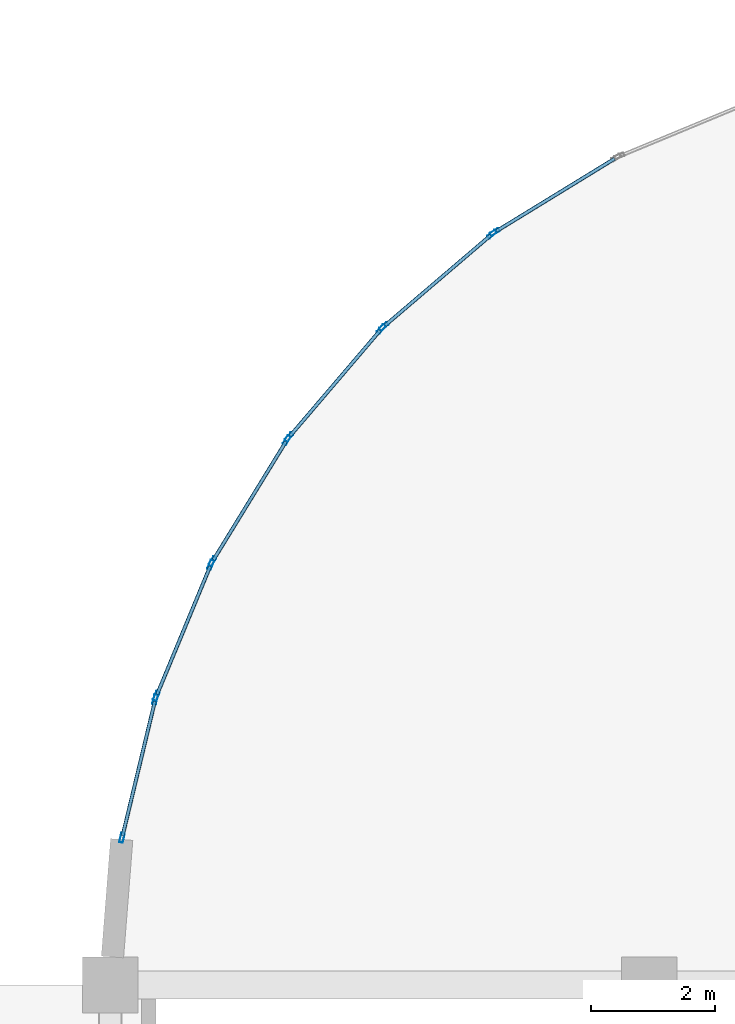
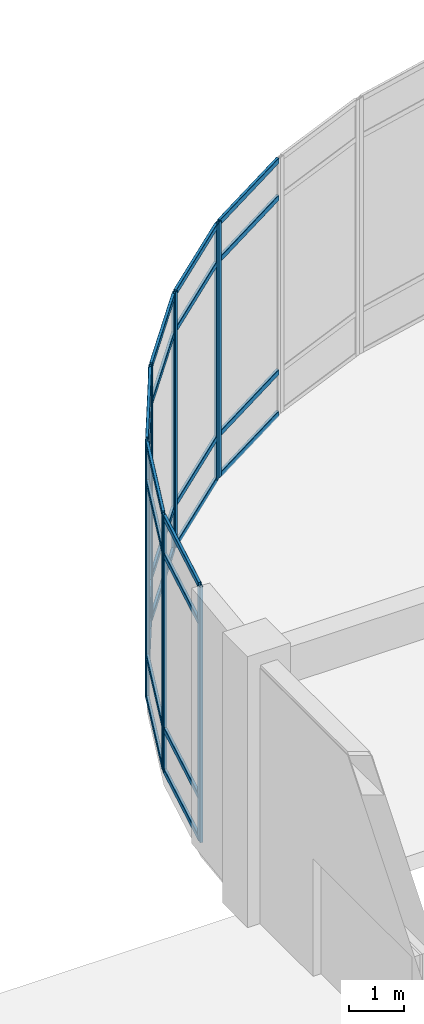
# One storey, part 10 of 82: 35 members, 6 elements without a shape of their own.
"""IFC4 building model written with IfcOpenShell, lengths in metres."""

from ifc_helpers import new_model, si_unit, derived_unit, direction, frame, origin, origin_2d, place, context, subcontext, project, spatial, hollow_rectangle, extrude, material, layer, layer_set, material_profile, profile_set, type_object, element, aggregate, save


model = new_model("IFC4")

# Units and contexts
model_context = context("Model", 3, precision=1e-05, world=origin(), true_north=direction((0.0, 1.0)))
body_context = subcontext(model_context, "Body", "Model", "MODEL_VIEW")
ifc_project = project(units=[si_unit("LENGTHUNIT", "METRE"), si_unit("AREAUNIT", "SQUARE_METRE"), si_unit("VOLUMEUNIT", "CUBIC_METRE"), si_unit("PLANEANGLEUNIT", "RADIAN"), si_unit("MASSUNIT", "GRAM", prefix="KILO"), derived_unit("THERMALTRANSMITTANCEUNIT", [(si_unit("MASSUNIT", "GRAM", prefix="KILO"), 1), (si_unit("TIMEUNIT", "SECOND"), -3), (si_unit("THERMODYNAMICTEMPERATUREUNIT", "KELVIN"), -1)])], contexts=[model_context])

# Site, building, storey
site_placement = place(None, origin())
site = spatial("IfcSite", under=ifc_project, at=site_placement, CompositionType="ELEMENT")
building_placement = place(site_placement, origin())
building = spatial("IfcBuilding", under=site, at=building_placement, Name="Qinzheling Arcade Emporium", CompositionType="ELEMENT")
storey_placement = place(building_placement, origin())
storey = spatial("IfcBuildingStorey", under=building, at=storey_placement, Name="L01", CompositionType="ELEMENT", Elevation=0.0)

# Curtain wall, members
ifc_material_1 = material(Name="Anodised aluminium and solar-control double glazing", Category="aluminium")
ifc_layer = layer(ifc_material_1, 0.159912109375, Name="Anodised aluminium and solar-control double glazing", Category="aluminium")
ifc_layer_set = layer_set([ifc_layer], Name="Anodised aluminium and solar-control double glazing")
curtain_wall_type = type_object("IfcCurtainWallType", Name="Curved Ribbon Sales Curtain Wall", PredefinedType="NOTDEFINED", material=ifc_layer_set)
curtain_wall_1_placement = place(storey_placement, origin())
curtain_wall_1 = element("IfcCurtainWall", 1, at=curtain_wall_1_placement, inside=storey, type_object=curtain_wall_type, Name="Curtain Wall CW-L01-019", PredefinedType="NOTDEFINED")
ifc_material_2 = material(Name="Anodised aluminium 6063-T6", Category="aluminium")
ifc_material_profile_1 = material_profile(ifc_material_2, hollow_rectangle(XDim=0.06005859375, YDim=0.159912109375, WallThickness=0.00390625, InnerFilletRadius=0.00390625, OuterFilletRadius=0.008056640625, at=origin_2d()), Name="RHS 160x60x4", Category="aluminium")
ifc_profile_set_1 = profile_set([ifc_material_profile_1], Name="Anodised aluminium 6063-T6")
member_type_1 = type_object("IfcMemberType", Name="Curtain Wall Mullion RHS160x60", PredefinedType="MULLION", material=ifc_profile_set_1)
member_1_placement = place(storey_placement, frame((8.89208984375, 52.776123046875, 0.0), z_axis=(0.0, 0.0, 1.0), x_axis=(-0.972398874145, 0.233324729854, 0.0)))
member_1 = element("IfcMember", 2, at=member_1_placement, type_object=member_type_1, Name="CW02 mullion 1", PredefinedType="MULLION", context=body_context, shape_type="SweptSolid", body=[
    extrude(hollow_rectangle(XDim=0.06005859375, YDim=0.159912109375, WallThickness=0.00390625, InnerFilletRadius=0.00390625, OuterFilletRadius=0.008056640625, at=origin_2d()), origin(), (0.0, 0.0, 1.0), 5.659912109375),
])
member_2_placement = place(storey_placement, frame((9.427001953125, 55.005859375, 0.0), z_axis=(0.0, 0.0, 1.0), x_axis=(-0.972398874145, 0.233324729854, 0.0)))
member_2 = element("IfcMember", 3, at=member_2_placement, type_object=member_type_1, Name="CW02 mullion 2", PredefinedType="MULLION", context=body_context, shape_type="SweptSolid", body=[
    extrude(hollow_rectangle(XDim=0.06005859375, YDim=0.159912109375, WallThickness=0.00390625, InnerFilletRadius=0.00390625, OuterFilletRadius=0.008056640625, at=origin_2d()), origin(), (0.0, 0.0, 1.0), 5.659912109375),
])

curtain_wall_2_placement = place(storey_placement, origin())
curtain_wall_2 = element("IfcCurtainWall", 4, at=curtain_wall_2_placement, inside=storey, type_object=curtain_wall_type, Name="Curtain Wall CW-L01-020", PredefinedType="NOTDEFINED")
member_3_placement = place(storey_placement, frame((9.445556640625, 55.062744140625, 0.0), z_axis=(0.0, 0.0, 1.0), x_axis=(-0.923866691535, 0.382714431752, 0.0)))
member_3 = element("IfcMember", 5, at=member_3_placement, type_object=member_type_1, Name="CW02 mullion 1", PredefinedType="MULLION", context=body_context, shape_type="SweptSolid", body=[
    extrude(hollow_rectangle(XDim=0.06005859375, YDim=0.159912109375, WallThickness=0.00390625, InnerFilletRadius=0.00390625, OuterFilletRadius=0.008056640625, at=origin_2d()), origin(), (0.0, 0.0, 1.0), 5.659912109375),
])
member_4_placement = place(storey_placement, frame((10.323486328125, 57.182373046875, 0.0), z_axis=(0.0, 0.0, 1.0), x_axis=(-0.923866691535, 0.382714431752, 0.0)))
member_4 = element("IfcMember", 6, at=member_4_placement, type_object=member_type_1, Name="CW02 mullion 2", PredefinedType="MULLION", context=body_context, shape_type="SweptSolid", body=[
    extrude(hollow_rectangle(XDim=0.06005859375, YDim=0.159912109375, WallThickness=0.00390625, InnerFilletRadius=0.00390625, OuterFilletRadius=0.008056640625, at=origin_2d()), origin(), (0.0, 0.0, 1.0), 5.659912109375),
])

curtain_wall_3_placement = place(storey_placement, origin())
curtain_wall_3 = element("IfcCurtainWall", 7, at=curtain_wall_3_placement, inside=storey, type_object=curtain_wall_type, Name="Curtain Wall CW-L01-021", PredefinedType="NOTDEFINED")
member_5_placement = place(storey_placement, frame((10.3505859375, 57.235595703125, 0.0), z_axis=(0.0, 0.0, 1.0), x_axis=(-0.852619568756, 0.522532172191, 0.0)))
member_5 = element("IfcMember", 8, at=member_5_placement, type_object=member_type_1, Name="CW02 mullion 1", PredefinedType="MULLION", context=body_context, shape_type="SweptSolid", body=[
    extrude(hollow_rectangle(XDim=0.06005859375, YDim=0.159912109375, WallThickness=0.00390625, InnerFilletRadius=0.00390625, OuterFilletRadius=0.008056640625, at=origin_2d()), origin(), (0.0, 0.0, 1.0), 5.659912109375),
])
member_6_placement = place(storey_placement, frame((11.54931640625, 59.19140625, 0.0), z_axis=(0.0, 0.0, 1.0), x_axis=(-0.852619568756, 0.522532172191, 0.0)))
member_6 = element("IfcMember", 9, at=member_6_placement, type_object=member_type_1, Name="CW02 mullion 2", PredefinedType="MULLION", context=body_context, shape_type="SweptSolid", body=[
    extrude(hollow_rectangle(XDim=0.06005859375, YDim=0.159912109375, WallThickness=0.00390625, InnerFilletRadius=0.00390625, OuterFilletRadius=0.008056640625, at=origin_2d()), origin(), (0.0, 0.0, 1.0), 5.659912109375),
])

curtain_wall_4_placement = place(storey_placement, origin())
curtain_wall_4 = element("IfcCurtainWall", 10, at=curtain_wall_4_placement, inside=storey, type_object=curtain_wall_type, Name="Curtain Wall CW-L01-022", PredefinedType="NOTDEFINED")
member_7_placement = place(storey_placement, frame((11.58447265625, 59.23974609375, 0.0), z_axis=(0.0, 0.0, 1.0), x_axis=(-0.760574737185, 0.649250390185, 0.0)))
member_7 = element("IfcMember", 11, at=member_7_placement, type_object=member_type_1, Name="CW02 mullion 1", PredefinedType="MULLION", context=body_context, shape_type="SweptSolid", body=[
    extrude(hollow_rectangle(XDim=0.06005859375, YDim=0.159912109375, WallThickness=0.00390625, InnerFilletRadius=0.00390625, OuterFilletRadius=0.008056640625, at=origin_2d()), origin(), (0.0, 0.0, 1.0), 5.659912109375),
])
member_8_placement = place(storey_placement, frame((13.073486328125, 60.984130859375, 0.0), z_axis=(0.0, 0.0, 1.0), x_axis=(-0.760574737185, 0.649250390185, 0.0)))
member_8 = element("IfcMember", 12, at=member_8_placement, type_object=member_type_1, Name="CW02 mullion 2", PredefinedType="MULLION", context=body_context, shape_type="SweptSolid", body=[
    extrude(hollow_rectangle(XDim=0.06005859375, YDim=0.159912109375, WallThickness=0.00390625, InnerFilletRadius=0.00390625, OuterFilletRadius=0.008056640625, at=origin_2d()), origin(), (0.0, 0.0, 1.0), 5.659912109375),
])

curtain_wall_5_placement = place(storey_placement, origin())
curtain_wall_5 = element("IfcCurtainWall", 13, at=curtain_wall_5_placement, inside=storey, type_object=curtain_wall_type, Name="Curtain Wall CW-L01-023", PredefinedType="NOTDEFINED")
member_9_placement = place(storey_placement, frame((13.11572265625, 61.0263671875, 0.0), z_axis=(0.0, 0.0, 1.0), x_axis=(-0.649250390185, 0.760574737185, 0.0)))
member_9 = element("IfcMember", 14, at=member_9_placement, type_object=member_type_1, Name="CW02 mullion 1", PredefinedType="MULLION", context=body_context, shape_type="SweptSolid", body=[
    extrude(hollow_rectangle(XDim=0.06005859375, YDim=0.159912109375, WallThickness=0.00390625, InnerFilletRadius=0.00390625, OuterFilletRadius=0.008056640625, at=origin_2d()), origin(), (0.0, 0.0, 1.0), 5.659912109375),
])
member_10_placement = place(storey_placement, frame((14.860107421875, 62.515625, 0.0), z_axis=(0.0, 0.0, 1.0), x_axis=(-0.649250390185, 0.760574737185, 0.0)))
member_10 = element("IfcMember", 15, at=member_10_placement, type_object=member_type_1, Name="CW02 mullion 2", PredefinedType="MULLION", context=body_context, shape_type="SweptSolid", body=[
    extrude(hollow_rectangle(XDim=0.06005859375, YDim=0.159912109375, WallThickness=0.00390625, InnerFilletRadius=0.00390625, OuterFilletRadius=0.008056640625, at=origin_2d()), origin(), (0.0, 0.0, 1.0), 5.659912109375),
])

# Curtain wall, member
curtain_wall_6_placement = place(storey_placement, origin())
curtain_wall_6 = element("IfcCurtainWall", 16, at=curtain_wall_6_placement, inside=storey, type_object=curtain_wall_type, Name="Curtain Wall CW-L01-024", PredefinedType="NOTDEFINED")
member_11_placement = place(storey_placement, frame((14.90869140625, 62.55078125, 0.0), z_axis=(0.0, 0.0, 1.0), x_axis=(-0.522532172191, 0.852619568756, 0.0)))
member_11 = element("IfcMember", 17, at=member_11_placement, type_object=member_type_1, Name="CW02 mullion 1", PredefinedType="MULLION", context=body_context, shape_type="SweptSolid", body=[
    extrude(hollow_rectangle(XDim=0.06005859375, YDim=0.159912109375, WallThickness=0.00390625, InnerFilletRadius=0.00390625, OuterFilletRadius=0.008056640625, at=origin_2d()), origin(), (0.0, 0.0, 1.0), 5.659912109375),
])

# Member
ifc_material_profile_2 = material_profile(ifc_material_2, hollow_rectangle(XDim=0.06005859375, YDim=0.1201171875, WallThickness=0.00390625, InnerFilletRadius=0.00390625, OuterFilletRadius=0.008056640625, at=origin_2d()), Name="RHS 120x60x4", Category="aluminium")
ifc_profile_set_2 = profile_set([ifc_material_profile_2], Name="Anodised aluminium 6063-T6")
member_type_2 = type_object("IfcMemberType", Name="Curtain Wall Transom RHS120x60", PredefinedType="USERDEFINED", material=ifc_profile_set_2)
member_12_placement = place(storey_placement, frame((8.89892578125, 52.805419921875, 0.030029296875), z_axis=(0.233339867955, 0.97239524167, 0.0), x_axis=(-0.97239524167, 0.233339867955, 0.0)))
member_12 = element("IfcMember", 18, at=member_12_placement, type_object=member_type_2, Name="CW02 transom 1.1", ObjectType="TRANSOM", PredefinedType="USERDEFINED", context=body_context, shape_type="SweptSolid", body=[
    extrude(hollow_rectangle(XDim=0.06005859375, YDim=0.1201171875, WallThickness=0.00390625, InnerFilletRadius=0.00390625, OuterFilletRadius=0.008056640625, at=origin_2d()), origin(), (0.0, 0.0, 1.0), 2.232666015625),
])

member_13_placement = place(storey_placement, frame((8.89892578125, 52.805419921875, 0.949951171875), z_axis=(0.233339867955, 0.97239524167, 0.0), x_axis=(-0.97239524167, 0.233339867955, 0.0)))
member_13 = element("IfcMember", 19, at=member_13_placement, type_object=member_type_2, Name="CW02 transom 1.2", ObjectType="TRANSOM", PredefinedType="USERDEFINED", context=body_context, shape_type="SweptSolid", body=[
    extrude(hollow_rectangle(XDim=0.06005859375, YDim=0.1201171875, WallThickness=0.00390625, InnerFilletRadius=0.00390625, OuterFilletRadius=0.008056640625, at=origin_2d()), origin(), (0.0, 0.0, 1.0), 2.232666015625),
])

member_14_placement = place(storey_placement, frame((8.89892578125, 52.805419921875, 4.81005859375), z_axis=(0.233339867955, 0.97239524167, 0.0), x_axis=(-0.97239524167, 0.233339867955, 0.0)))
member_14 = element("IfcMember", 20, at=member_14_placement, type_object=member_type_2, Name="CW02 transom 1.3", ObjectType="TRANSOM", PredefinedType="USERDEFINED", context=body_context, shape_type="SweptSolid", body=[
    extrude(hollow_rectangle(XDim=0.06005859375, YDim=0.1201171875, WallThickness=0.00390625, InnerFilletRadius=0.00390625, OuterFilletRadius=0.008056640625, at=origin_2d()), origin(), (0.0, 0.0, 1.0), 2.232666015625),
])

member_15_placement = place(storey_placement, frame((8.89892578125, 52.805419921875, 5.6298828125), z_axis=(0.233339867955, 0.97239524167, 0.0), x_axis=(-0.97239524167, 0.233339867955, 0.0)))
member_15 = element("IfcMember", 21, at=member_15_placement, type_object=member_type_2, Name="CW02 transom 1.4", ObjectType="TRANSOM", PredefinedType="USERDEFINED", context=body_context, shape_type="SweptSolid", body=[
    extrude(hollow_rectangle(XDim=0.06005859375, YDim=0.1201171875, WallThickness=0.00390625, InnerFilletRadius=0.00390625, OuterFilletRadius=0.008056640625, at=origin_2d()), origin(), (0.0, 0.0, 1.0), 2.232666015625),
])

aggregate(curtain_wall_1, [member_1, member_2, member_12, member_13, member_14, member_15])

member_16_placement = place(storey_placement, frame((9.45703125, 55.09033203125, 0.030029296875), z_axis=(0.382667047817, 0.923886319043, 0.0), x_axis=(-0.923886319043, 0.382667047817, 0.0)))
member_16 = element("IfcMember", 22, at=member_16_placement, type_object=member_type_2, Name="CW02 transom 1.1", ObjectType="TRANSOM", PredefinedType="USERDEFINED", context=body_context, shape_type="SweptSolid", body=[
    extrude(hollow_rectangle(XDim=0.06005859375, YDim=0.1201171875, WallThickness=0.00390625, InnerFilletRadius=0.00390625, OuterFilletRadius=0.008056640625, at=origin_2d()), origin(), (0.0, 0.0, 1.0), 2.234375),
])

member_17_placement = place(storey_placement, frame((9.45703125, 55.09033203125, 0.949951171875), z_axis=(0.382667047817, 0.923886319043, 0.0), x_axis=(-0.923886319043, 0.382667047817, 0.0)))
member_17 = element("IfcMember", 23, at=member_17_placement, type_object=member_type_2, Name="CW02 transom 1.2", ObjectType="TRANSOM", PredefinedType="USERDEFINED", context=body_context, shape_type="SweptSolid", body=[
    extrude(hollow_rectangle(XDim=0.06005859375, YDim=0.1201171875, WallThickness=0.00390625, InnerFilletRadius=0.00390625, OuterFilletRadius=0.008056640625, at=origin_2d()), origin(), (0.0, 0.0, 1.0), 2.234375),
])

member_18_placement = place(storey_placement, frame((9.45703125, 55.09033203125, 4.81005859375), z_axis=(0.382667047817, 0.923886319043, 0.0), x_axis=(-0.923886319043, 0.382667047817, 0.0)))
member_18 = element("IfcMember", 24, at=member_18_placement, type_object=member_type_2, Name="CW02 transom 1.3", ObjectType="TRANSOM", PredefinedType="USERDEFINED", context=body_context, shape_type="SweptSolid", body=[
    extrude(hollow_rectangle(XDim=0.06005859375, YDim=0.1201171875, WallThickness=0.00390625, InnerFilletRadius=0.00390625, OuterFilletRadius=0.008056640625, at=origin_2d()), origin(), (0.0, 0.0, 1.0), 2.234375),
])

member_19_placement = place(storey_placement, frame((9.45703125, 55.09033203125, 5.6298828125), z_axis=(0.382667047817, 0.923886319043, 0.0), x_axis=(-0.923886319043, 0.382667047817, 0.0)))
member_19 = element("IfcMember", 25, at=member_19_placement, type_object=member_type_2, Name="CW02 transom 1.4", ObjectType="TRANSOM", PredefinedType="USERDEFINED", context=body_context, shape_type="SweptSolid", body=[
    extrude(hollow_rectangle(XDim=0.06005859375, YDim=0.1201171875, WallThickness=0.00390625, InnerFilletRadius=0.00390625, OuterFilletRadius=0.008056640625, at=origin_2d()), origin(), (0.0, 0.0, 1.0), 2.234375),
])

aggregate(curtain_wall_2, [member_3, member_4, member_16, member_17, member_18, member_19])

member_20_placement = place(storey_placement, frame((10.366455078125, 57.26123046875, 0.030029296875), z_axis=(0.522541554547, 0.852613818661, 0.0), x_axis=(-0.852613818661, 0.522541554547, 0.0)))
member_20 = element("IfcMember", 26, at=member_20_placement, type_object=member_type_2, Name="CW02 transom 1.1", ObjectType="TRANSOM", PredefinedType="USERDEFINED", context=body_context, shape_type="SweptSolid", body=[
    extrude(hollow_rectangle(XDim=0.06005859375, YDim=0.1201171875, WallThickness=0.00390625, InnerFilletRadius=0.00390625, OuterFilletRadius=0.008056640625, at=origin_2d()), origin(), (0.0, 0.0, 1.0), 2.23388671875),
])

member_21_placement = place(storey_placement, frame((10.366455078125, 57.26123046875, 0.949951171875), z_axis=(0.522541554547, 0.852613818661, 0.0), x_axis=(-0.852613818661, 0.522541554547, 0.0)))
member_21 = element("IfcMember", 27, at=member_21_placement, type_object=member_type_2, Name="CW02 transom 1.2", ObjectType="TRANSOM", PredefinedType="USERDEFINED", context=body_context, shape_type="SweptSolid", body=[
    extrude(hollow_rectangle(XDim=0.06005859375, YDim=0.1201171875, WallThickness=0.00390625, InnerFilletRadius=0.00390625, OuterFilletRadius=0.008056640625, at=origin_2d()), origin(), (0.0, 0.0, 1.0), 2.23388671875),
])

member_22_placement = place(storey_placement, frame((10.366455078125, 57.26123046875, 4.81005859375), z_axis=(0.522541554547, 0.852613818661, 0.0), x_axis=(-0.852613818661, 0.522541554547, 0.0)))
member_22 = element("IfcMember", 28, at=member_22_placement, type_object=member_type_2, Name="CW02 transom 1.3", ObjectType="TRANSOM", PredefinedType="USERDEFINED", context=body_context, shape_type="SweptSolid", body=[
    extrude(hollow_rectangle(XDim=0.06005859375, YDim=0.1201171875, WallThickness=0.00390625, InnerFilletRadius=0.00390625, OuterFilletRadius=0.008056640625, at=origin_2d()), origin(), (0.0, 0.0, 1.0), 2.23388671875),
])

member_23_placement = place(storey_placement, frame((10.366455078125, 57.26123046875, 5.6298828125), z_axis=(0.522541554547, 0.852613818661, 0.0), x_axis=(-0.852613818661, 0.522541554547, 0.0)))
member_23 = element("IfcMember", 29, at=member_23_placement, type_object=member_type_2, Name="CW02 transom 1.4", ObjectType="TRANSOM", PredefinedType="USERDEFINED", context=body_context, shape_type="SweptSolid", body=[
    extrude(hollow_rectangle(XDim=0.06005859375, YDim=0.1201171875, WallThickness=0.00390625, InnerFilletRadius=0.00390625, OuterFilletRadius=0.008056640625, at=origin_2d()), origin(), (0.0, 0.0, 1.0), 2.23388671875),
])

aggregate(curtain_wall_3, [member_5, member_6, member_20, member_21, member_22, member_23])

member_24_placement = place(storey_placement, frame((11.60400390625, 59.2626953125, 0.030029296875), z_axis=(0.649214567971, 0.76060531469, 0.0), x_axis=(-0.76060531469, 0.649214567971, 0.0)))
member_24 = element("IfcMember", 30, at=member_24_placement, type_object=member_type_2, Name="CW02 transom 1.1", ObjectType="TRANSOM", PredefinedType="USERDEFINED", context=body_context, shape_type="SweptSolid", body=[
    extrude(hollow_rectangle(XDim=0.06005859375, YDim=0.1201171875, WallThickness=0.00390625, InnerFilletRadius=0.00390625, OuterFilletRadius=0.008056640625, at=origin_2d()), origin(), (0.0, 0.0, 1.0), 2.2333984375),
])

member_25_placement = place(storey_placement, frame((11.60400390625, 59.2626953125, 0.949951171875), z_axis=(0.649214567971, 0.76060531469, 0.0), x_axis=(-0.76060531469, 0.649214567971, 0.0)))
member_25 = element("IfcMember", 31, at=member_25_placement, type_object=member_type_2, Name="CW02 transom 1.2", ObjectType="TRANSOM", PredefinedType="USERDEFINED", context=body_context, shape_type="SweptSolid", body=[
    extrude(hollow_rectangle(XDim=0.06005859375, YDim=0.1201171875, WallThickness=0.00390625, InnerFilletRadius=0.00390625, OuterFilletRadius=0.008056640625, at=origin_2d()), origin(), (0.0, 0.0, 1.0), 2.2333984375),
])

member_26_placement = place(storey_placement, frame((11.60400390625, 59.2626953125, 4.81005859375), z_axis=(0.649214567971, 0.76060531469, 0.0), x_axis=(-0.76060531469, 0.649214567971, 0.0)))
member_26 = element("IfcMember", 32, at=member_26_placement, type_object=member_type_2, Name="CW02 transom 1.3", ObjectType="TRANSOM", PredefinedType="USERDEFINED", context=body_context, shape_type="SweptSolid", body=[
    extrude(hollow_rectangle(XDim=0.06005859375, YDim=0.1201171875, WallThickness=0.00390625, InnerFilletRadius=0.00390625, OuterFilletRadius=0.008056640625, at=origin_2d()), origin(), (0.0, 0.0, 1.0), 2.2333984375),
])

member_27_placement = place(storey_placement, frame((11.60400390625, 59.2626953125, 5.6298828125), z_axis=(0.649214567971, 0.76060531469, 0.0), x_axis=(-0.76060531469, 0.649214567971, 0.0)))
member_27 = element("IfcMember", 33, at=member_27_placement, type_object=member_type_2, Name="CW02 transom 1.4", ObjectType="TRANSOM", PredefinedType="USERDEFINED", context=body_context, shape_type="SweptSolid", body=[
    extrude(hollow_rectangle(XDim=0.06005859375, YDim=0.1201171875, WallThickness=0.00390625, InnerFilletRadius=0.00390625, OuterFilletRadius=0.008056640625, at=origin_2d()), origin(), (0.0, 0.0, 1.0), 2.2333984375),
])

aggregate(curtain_wall_4, [member_7, member_8, member_24, member_25, member_26, member_27])

member_28_placement = place(storey_placement, frame((13.138671875, 61.0458984375, 0.030029296875), z_axis=(0.760551337176, 0.649277801499, 0.0), x_axis=(-0.649277801499, 0.760551337176, 0.0)))
member_28 = element("IfcMember", 34, at=member_28_placement, type_object=member_type_2, Name="CW02 transom 1.1", ObjectType="TRANSOM", PredefinedType="USERDEFINED", context=body_context, shape_type="SweptSolid", body=[
    extrude(hollow_rectangle(XDim=0.06005859375, YDim=0.1201171875, WallThickness=0.00390625, InnerFilletRadius=0.00390625, OuterFilletRadius=0.008056640625, at=origin_2d()), origin(), (0.0, 0.0, 1.0), 2.233642578125),
])

member_29_placement = place(storey_placement, frame((13.138671875, 61.0458984375, 0.949951171875), z_axis=(0.760551337176, 0.649277801499, 0.0), x_axis=(-0.649277801499, 0.760551337176, 0.0)))
member_29 = element("IfcMember", 35, at=member_29_placement, type_object=member_type_2, Name="CW02 transom 1.2", ObjectType="TRANSOM", PredefinedType="USERDEFINED", context=body_context, shape_type="SweptSolid", body=[
    extrude(hollow_rectangle(XDim=0.06005859375, YDim=0.1201171875, WallThickness=0.00390625, InnerFilletRadius=0.00390625, OuterFilletRadius=0.008056640625, at=origin_2d()), origin(), (0.0, 0.0, 1.0), 2.233642578125),
])

member_30_placement = place(storey_placement, frame((13.138671875, 61.0458984375, 4.81005859375), z_axis=(0.760551337176, 0.649277801499, 0.0), x_axis=(-0.649277801499, 0.760551337176, 0.0)))
member_30 = element("IfcMember", 36, at=member_30_placement, type_object=member_type_2, Name="CW02 transom 1.3", ObjectType="TRANSOM", PredefinedType="USERDEFINED", context=body_context, shape_type="SweptSolid", body=[
    extrude(hollow_rectangle(XDim=0.06005859375, YDim=0.1201171875, WallThickness=0.00390625, InnerFilletRadius=0.00390625, OuterFilletRadius=0.008056640625, at=origin_2d()), origin(), (0.0, 0.0, 1.0), 2.233642578125),
])

member_31_placement = place(storey_placement, frame((13.138671875, 61.0458984375, 5.6298828125), z_axis=(0.760551337176, 0.649277801499, 0.0), x_axis=(-0.649277801499, 0.760551337176, 0.0)))
member_31 = element("IfcMember", 37, at=member_31_placement, type_object=member_type_2, Name="CW02 transom 1.4", ObjectType="TRANSOM", PredefinedType="USERDEFINED", context=body_context, shape_type="SweptSolid", body=[
    extrude(hollow_rectangle(XDim=0.06005859375, YDim=0.1201171875, WallThickness=0.00390625, InnerFilletRadius=0.00390625, OuterFilletRadius=0.008056640625, at=origin_2d()), origin(), (0.0, 0.0, 1.0), 2.233642578125),
])

aggregate(curtain_wall_5, [member_9, member_10, member_28, member_29, member_30, member_31])

member_32_placement = place(storey_placement, frame((14.93408203125, 62.56640625, 0.030029296875), z_axis=(0.852643657578, 0.52249286425, 0.0), x_axis=(-0.52249286425, 0.852643657578, 0.0)))
member_32 = element("IfcMember", 38, at=member_32_placement, type_object=member_type_2, Name="CW02 transom 1.1", ObjectType="TRANSOM", PredefinedType="USERDEFINED", context=body_context, shape_type="SweptSolid", body=[
    extrude(hollow_rectangle(XDim=0.06005859375, YDim=0.1201171875, WallThickness=0.00390625, InnerFilletRadius=0.00390625, OuterFilletRadius=0.008056640625, at=origin_2d()), origin(), (0.0, 0.0, 1.0), 2.23388671875),
])

member_33_placement = place(storey_placement, frame((14.93408203125, 62.56640625, 0.949951171875), z_axis=(0.852643657578, 0.52249286425, 0.0), x_axis=(-0.52249286425, 0.852643657578, 0.0)))
member_33 = element("IfcMember", 39, at=member_33_placement, type_object=member_type_2, Name="CW02 transom 1.2", ObjectType="TRANSOM", PredefinedType="USERDEFINED", context=body_context, shape_type="SweptSolid", body=[
    extrude(hollow_rectangle(XDim=0.06005859375, YDim=0.1201171875, WallThickness=0.00390625, InnerFilletRadius=0.00390625, OuterFilletRadius=0.008056640625, at=origin_2d()), origin(), (0.0, 0.0, 1.0), 2.23388671875),
])

member_34_placement = place(storey_placement, frame((14.93408203125, 62.56640625, 4.81005859375), z_axis=(0.852643657578, 0.52249286425, 0.0), x_axis=(-0.52249286425, 0.852643657578, 0.0)))
member_34 = element("IfcMember", 40, at=member_34_placement, type_object=member_type_2, Name="CW02 transom 1.3", ObjectType="TRANSOM", PredefinedType="USERDEFINED", context=body_context, shape_type="SweptSolid", body=[
    extrude(hollow_rectangle(XDim=0.06005859375, YDim=0.1201171875, WallThickness=0.00390625, InnerFilletRadius=0.00390625, OuterFilletRadius=0.008056640625, at=origin_2d()), origin(), (0.0, 0.0, 1.0), 2.23388671875),
])

member_35_placement = place(storey_placement, frame((14.93408203125, 62.56640625, 5.6298828125), z_axis=(0.852643657578, 0.52249286425, 0.0), x_axis=(-0.52249286425, 0.852643657578, 0.0)))
member_35 = element("IfcMember", 41, at=member_35_placement, type_object=member_type_2, Name="CW02 transom 1.4", ObjectType="TRANSOM", PredefinedType="USERDEFINED", context=body_context, shape_type="SweptSolid", body=[
    extrude(hollow_rectangle(XDim=0.06005859375, YDim=0.1201171875, WallThickness=0.00390625, InnerFilletRadius=0.00390625, OuterFilletRadius=0.008056640625, at=origin_2d()), origin(), (0.0, 0.0, 1.0), 2.23388671875),
])

aggregate(curtain_wall_6, [member_11, member_32, member_33, member_34, member_35])

save(model, "model.ifc")
